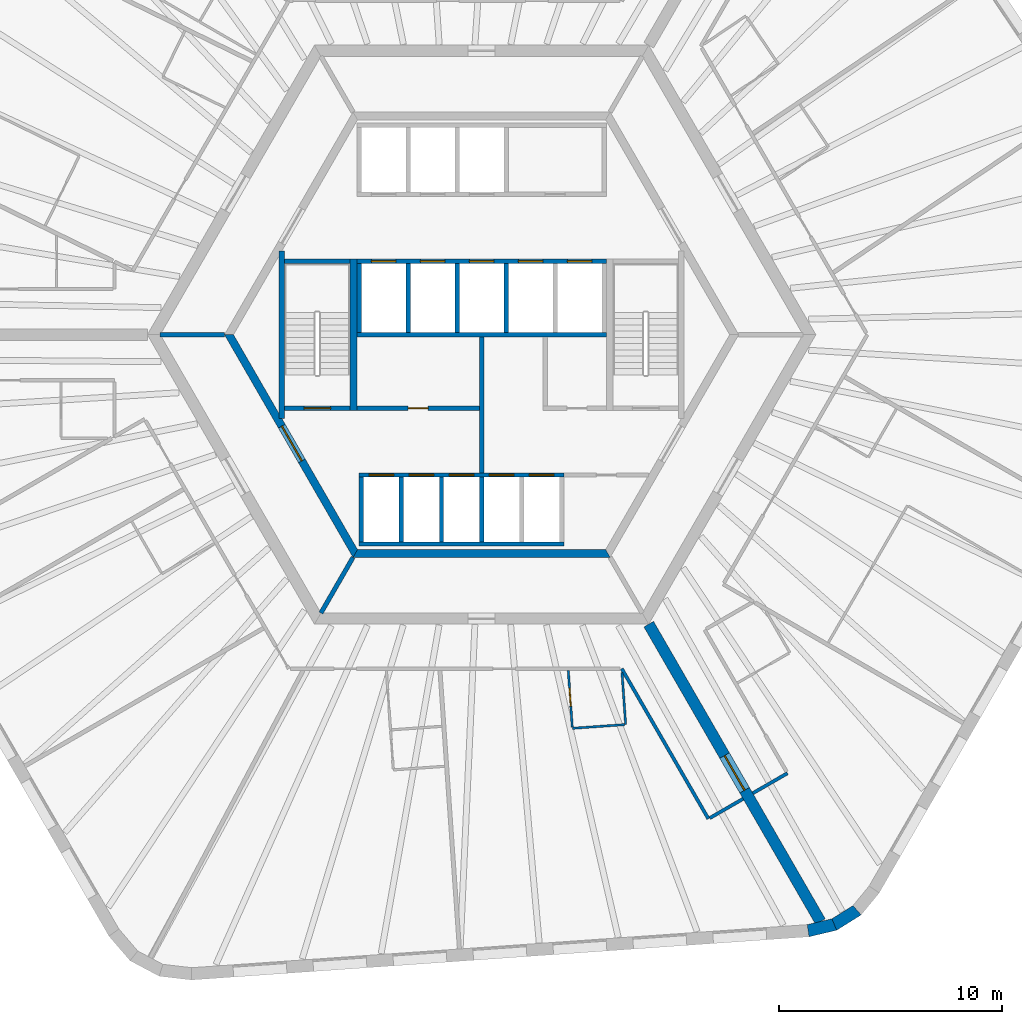
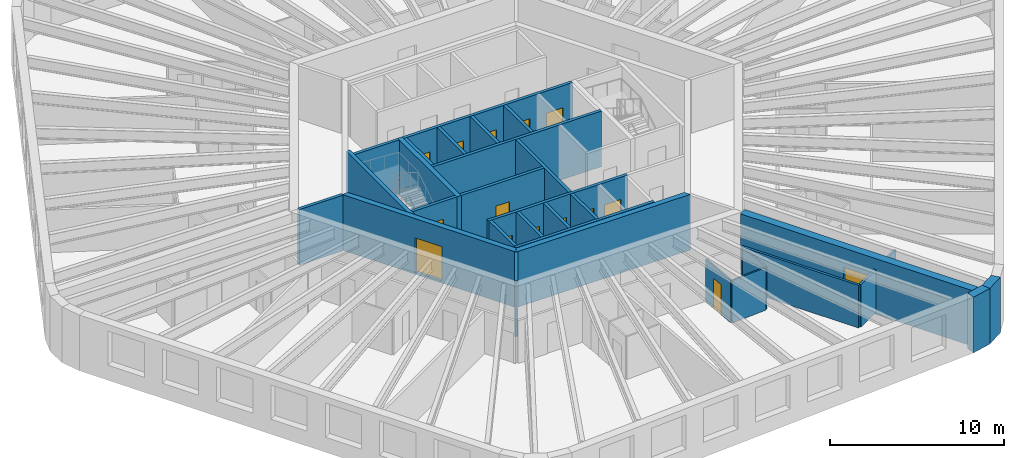
# One storey, part 4 of 10: 31 walls, 15 doors, 15 openings.
"""IFC4 building model written with IfcOpenShell, lengths in metres."""

from ifc_helpers import new_model, si_unit, direction, frame, frame_2d, origin, place, context, subcontext, project, spatial, polyline, rectangle, outline, extrude, material, layer, layer_set, type_object, element, fill, save


model = new_model("IFC4")

# Units and contexts
model_context = context("Model", 3, precision=1e-05, world=origin(), true_north=direction((0.0, 1.0)))
body_context = subcontext(model_context, "Body", "Model", "MODEL_VIEW")
ifc_project = project(units=[si_unit("LENGTHUNIT", "METRE"), si_unit("AREAUNIT", "SQUARE_METRE"), si_unit("VOLUMEUNIT", "CUBIC_METRE"), si_unit("PLANEANGLEUNIT", "RADIAN"), si_unit("MASSUNIT", "GRAM", prefix="KILO")], contexts=[model_context])

# Site, building, storey
site_placement = place(None, origin())
site = spatial("IfcSite", under=ifc_project, at=site_placement, CompositionType="ELEMENT")
building_placement = place(site_placement, origin())
building = spatial("IfcBuilding", under=site, at=building_placement, Name="Tarnside Tower", CompositionType="ELEMENT")
storey_placement = place(building_placement, frame((0.0, 0.0, 211.199951171875)))
storey = spatial("IfcBuildingStorey", under=building, at=storey_placement, Name="L50", CompositionType="ELEMENT", Elevation=211.199951171875)

# Walls
ifc_material_1 = material(Name="Gypsum board partition on steel studs", Category="steel")
ifc_layer_1 = layer(ifc_material_1, 0.10009765625)
ifc_layer_set_1 = layer_set([ifc_layer_1], Name="Bathroom wall 100")
wall_type_1 = type_object("IfcWallType", Name="Bathroom wall 100", PredefinedType="PARTITIONING", material=ifc_layer_set_1)
wall_1_placement = place(storey_placement, frame((6.30517578125, -15.170654296875, 0.0), z_axis=(0.0, 0.0, 1.0), x_axis=(0.06967780619, -0.997569548114, 0.0)))
element("IfcWall", 1, at=wall_1_placement, inside=storey, type_object=wall_type_1, Name="Bathroom wall 16092", PredefinedType="PARTITIONING", context=body_context, shape_type="SweptSolid", body=[
    extrude(rectangle(XDim=2.343994140625, YDim=0.10009765625, at=frame_2d((1.171875, 0.0))), origin(), (0.0, 0.0, 1.0), 2.98779296875),
])
wall_2_placement = place(storey_placement, frame((6.418701171875, -17.512451171875, 0.0), z_axis=(0.0, 0.0, 1.0), x_axis=(-0.997567210304, -0.069711268289, 0.0)))
element("IfcWall", 2, at=wall_2_placement, inside=storey, type_object=wall_type_1, Name="Bathroom wall 16093", PredefinedType="PARTITIONING", context=body_context, shape_type="SweptSolid", body=[
    extrude(rectangle(XDim=2.349853515625, YDim=0.10009765625, at=frame_2d((1.1748046875, 0.0))), origin(), (0.0, 0.0, 1.0), 2.98779296875),
])

# Wall, opening, door
wall_3_placement = place(storey_placement, frame((4.07080078125, -17.62646484375, 0.0), z_axis=(0.0, 0.0, 1.0), x_axis=(-0.06967999793, 0.997569395024, 0.0)))
wall_3 = element("IfcWall", 3, at=wall_3_placement, inside=storey, type_object=wall_type_1, Name="Bathroom wall 16094", PredefinedType="PARTITIONING", context=body_context, shape_type="SweptSolid", body=[
    extrude(rectangle(XDim=2.5576171875, YDim=0.10009765625, at=frame_2d((1.27880859375, 0.0))), origin(), (0.0, 0.0, 1.0), 2.98779296875),
])
opening_1_placement = place(wall_3_placement, frame((0.949951171875, 0.0, 0.0)))
opening_1 = element("IfcOpeningElement", 4, at=opening_1_placement, cuts=wall_3, Name="Opening D-B1", PredefinedType="OPENING", context=body_context, shape_type="SweptSolid", body=[
    extrude(rectangle(XDim=0.800048828125, YDim=2.10009765625, at=frame_2d((0.39990234375, 1.050048828125))), frame((0.0, 0.06005859375, 0.0), z_axis=(0.0, -1.0, 0.0), x_axis=(1.0, 0.0, 0.0)), (0.0, 0.0, 1.0), 0.1201171875),
])
ifc_material_2 = material(Name="Timber door leaf", Category="wood")
door_type_1 = type_object("IfcDoorType", Name="Bathroom door 800", OperationType="NOTDEFINED", PredefinedType="DOOR", material=ifc_material_2)
door_1_placement = place(opening_1_placement, origin())
door_1 = element("IfcDoor", 5, at=door_1_placement, inside=storey, type_object=door_type_1, Name="Bathroom door 16024", OperationType="SINGLE_SWING_LEFT", OverallHeight=2.10009765625, OverallWidth=0.800048828125, PredefinedType="DOOR", context=body_context, shape_type="SweptSolid", body=[
    extrude(rectangle(XDim=0.800048828125, YDim=2.10009765625, at=frame_2d((0.39990234375, 1.050048828125))), frame((0.0, 0.02490234375, 0.0), z_axis=(0.0, -1.0, 0.0), x_axis=(1.0, 0.0, 0.0)), (0.0, 0.0, 1.0), 0.050048828125),
])
fill(opening_1, door_1)

ifc_material_3 = material(Name="Concrete C50/60", Category="concrete")
ifc_layer_2 = layer(ifc_material_3, 0.35009765625)
ifc_layer_set_2 = layer_set([ifc_layer_2], Name="Core block wall 350 C50/60")
wall_type_2 = type_object("IfcWallType", Name="Core block wall 350 C50/60", PredefinedType="SHEAR", material=ifc_layer_set_2)
wall_4_placement = place(storey_placement, frame((-11.344970703125, 0.0, -0.14990234375), z_axis=(0.0, 0.0, 1.0), x_axis=(0.499995046907, -0.866028263435, 0.0)))
wall_4 = element("IfcWall", 6, at=wall_4_placement, inside=storey, type_object=wall_type_2, Name="L50 core block wall face 3", PredefinedType="SHEAR", context=body_context, shape_type="SweptSolid", body=[
    extrude(outline(polyline([(-0.10107421875, -0.175048828125), (11.44580078125, -0.175048828125), (11.24365234375, 0.175048828125), (0.10107421875, 0.175048828125), (-0.10107421875, -0.175048828125)])), origin(), (0.0, 0.0, 1.0), 3.89990234375),
])
opening_2_placement = place(wall_4_placement, frame((4.74365234375, 0.0, 0.14990234375)))
opening_2 = element("IfcOpeningElement", 7, at=opening_2_placement, cuts=wall_4, Name="Opening CD-FFL", PredefinedType="OPENING", context=body_context, shape_type="SweptSolid", body=[
    extrude(rectangle(XDim=1.800048828125, YDim=2.39990234375, at=frame_2d((0.89990234375, 1.199951171875))), frame((0.0, 0.18505859375, 0.0), z_axis=(0.0, -1.0, 0.0), x_axis=(1.0, 0.0, 0.0)), (0.0, 0.0, 1.0), 0.3701171875),
])
ifc_material_4 = material(Name="Steel fire door", Category="steel")
door_type_2 = type_object("IfcDoorType", Name="Firefighting lobby double door FD60S 1800x2400", OperationType="NOTDEFINED", PredefinedType="DOOR", material=ifc_material_4)
door_2_placement = place(opening_2_placement, origin())
door_2 = element("IfcDoor", 8, at=door_2_placement, inside=storey, type_object=door_type_2, Name="L50 lobby block door P3", OperationType="DOUBLE_DOOR_SINGLE_SWING", OverallHeight=2.39990234375, OverallWidth=1.800048828125, PredefinedType="DOOR", context=body_context, shape_type="SweptSolid", body=[
    extrude(rectangle(XDim=1.800048828125, YDim=2.39990234375, at=frame_2d((0.89990234375, 1.199951171875))), frame((0.0, 0.02490234375, 0.0), z_axis=(0.0, -1.0, 0.0), x_axis=(1.0, 0.0, 0.0)), (0.0, 0.0, 1.0), 0.050048828125),
])
fill(opening_2, door_2)

# Wall
wall_5_placement = place(storey_placement, frame((-5.672607421875, -9.824951171875, -0.14990234375), z_axis=(0.0, 0.0, 1.0), x_axis=(1.0, 0.0, 0.0)))
element("IfcWall", 9, at=wall_5_placement, inside=storey, type_object=wall_type_2, Name="L50 core block wall face 4", PredefinedType="SHEAR", context=body_context, shape_type="SweptSolid", body=[
    extrude(outline(polyline([(-0.10107421875, -0.175048828125), (11.4462890625, -0.175048828125), (11.244140625, 0.175048828125), (0.10107421875, 0.175048828125), (-0.10107421875, -0.175048828125)])), origin(), (0.0, 0.0, 1.0), 3.89990234375),
])

# Wall, opening, door
ifc_material_5 = material(Name="Concrete C40/50", Category="concrete")
ifc_layer_3 = layer(ifc_material_5, 0.199951171875)
ifc_layer_set_3 = layer_set([ifc_layer_3], Name="Core room partition 200 C40/50")
wall_type_3 = type_object("IfcWallType", Name="Core room partition 200 C40/50", PredefinedType="PARTITIONING", material=ifc_layer_set_3)
wall_6_placement = place(storey_placement, frame((-5.60009765625, -3.300048828125, 0.0), z_axis=(0.0, 0.0, 1.0), x_axis=(1.0, 0.0, 0.0)))
wall_6 = element("IfcWall", 10, at=wall_6_placement, inside=storey, type_object=wall_type_3, Name="L50 core partition W3", PredefinedType="PARTITIONING", context=body_context, shape_type="SweptSolid", body=[
    extrude(rectangle(XDim=5.5, YDim=0.199951171875, at=frame_2d((2.75, 0.0))), origin(), (0.0, 0.0, 1.0), 3.650146484375),
])
opening_3_placement = place(wall_6_placement, frame((2.300048828125, 0.0, 0.0)))
opening_3 = element("IfcOpeningElement", 11, at=opening_3_placement, cuts=wall_6, Name="Opening CD-room", PredefinedType="OPENING", context=body_context, shape_type="SweptSolid", body=[
    extrude(rectangle(XDim=0.89990234375, YDim=2.10009765625, at=frame_2d((0.449951171875, 1.050048828125))), frame((0.0, 0.10986328125, 0.0), z_axis=(0.0, -1.0, 0.0), x_axis=(1.0, 0.0, 0.0)), (0.0, 0.0, 1.0), 0.219970703125),
])
door_type_3 = type_object("IfcDoorType", Name="Room door FD60 900x2100", OperationType="NOTDEFINED", PredefinedType="DOOR", material=ifc_material_4)
door_3_placement = place(opening_3_placement, origin())
door_3 = element("IfcDoor", 12, at=door_3_placement, inside=storey, type_object=door_type_3, Name="L50 core room door W3D", OperationType="SINGLE_SWING_LEFT", OverallHeight=2.10009765625, OverallWidth=0.89990234375, PredefinedType="DOOR", context=body_context, shape_type="SweptSolid", body=[
    extrude(rectangle(XDim=0.89990234375, YDim=2.10009765625, at=frame_2d((0.449951171875, 1.050048828125))), frame((0.0, 0.02490234375, 0.0), z_axis=(0.0, -1.0, 0.0), x_axis=(1.0, 0.0, 0.0)), (0.0, 0.0, 1.0), 0.050048828125),
])
fill(opening_3, door_3)

# Wall
wall_7_placement = place(storey_placement, frame((0.0, -6.199951171875, 0.0), z_axis=(0.0, 0.0, 1.0), x_axis=(0.0, 1.0, 0.0)))
element("IfcWall", 13, at=wall_7_placement, inside=storey, type_object=wall_type_3, Name="L50 core partition X0", PredefinedType="PARTITIONING", context=body_context, shape_type="SweptSolid", body=[
    extrude(rectangle(XDim=6.099853515625, YDim=0.199951171875, at=frame_2d((3.0498046875, 0.0))), origin(), (0.0, 0.0, 1.0), 3.650146484375),
])

# Wall, opening, door
ifc_material_6 = material(Name="Concrete C70/85", Category="concrete")
ifc_layer_4 = layer(ifc_material_6, 0.5)
ifc_layer_set_4 = layer_set([ifc_layer_4], Name="Core wall Z2 500 C70/85")
wall_type_4 = type_object("IfcWallType", Name="Core wall Z2 500 C70/85", PredefinedType="SHEAR", material=ifc_layer_set_4)
wall_8_placement = place(storey_placement, frame((7.505615234375, -13.0, -0.14990234375), z_axis=(0.0, 0.0, 1.0), x_axis=(0.499988271576, -0.866032175087, 0.0)))
wall_8 = element("IfcWall", 14, at=wall_8_placement, inside=storey, type_object=wall_type_4, Name="L50 spine wall 3", PredefinedType="SHEAR", context=body_context, shape_type="SweptSolid", body=[
    extrude(rectangle(XDim=15.423583984375, YDim=0.5, at=frame_2d((7.7119140625, 0.0))), origin(), (0.0, 0.0, 1.0), 3.89990234375),
])
opening_4_placement = place(wall_8_placement, frame((6.811767578125, 0.0, 0.14990234375)))
opening_4 = element("IfcOpeningElement", 15, at=opening_4_placement, cuts=wall_8, Name="Opening CD-SPN", PredefinedType="OPENING", context=body_context, shape_type="SweptSolid", body=[
    extrude(rectangle(XDim=1.800048828125, YDim=2.39990234375, at=frame_2d((0.89990234375, 1.199951171875))), frame((0.0, 0.260009765625, 0.0), z_axis=(0.0, -1.0, 0.0), x_axis=(1.0, 0.0, 0.0)), (0.0, 0.0, 1.0), 0.52001953125),
])
door_type_4 = type_object("IfcDoorType", Name="Spine passage double door FD60 1800x2400", OperationType="NOTDEFINED", PredefinedType="DOOR", material=ifc_material_4)
door_4_placement = place(opening_4_placement, origin())
door_4 = element("IfcDoor", 16, at=door_4_placement, inside=storey, type_object=door_type_4, Name="L50 spine passage door 3", OperationType="DOUBLE_DOOR_SINGLE_SWING", OverallHeight=2.39990234375, OverallWidth=1.800048828125, PredefinedType="DOOR", context=body_context, shape_type="SweptSolid", body=[
    extrude(rectangle(XDim=1.800048828125, YDim=2.39990234375, at=frame_2d((0.89990234375, 1.199951171875))), frame((0.0, 0.02490234375, 0.0), z_axis=(0.0, -1.0, 0.0), x_axis=(1.0, 0.0, 0.0)), (0.0, 0.0, 1.0), 0.050048828125),
])
fill(opening_4, door_4)

# Walls
ifc_layer_5 = layer(ifc_material_1, 0.14990234375)
ifc_layer_set_5 = layer_set([ifc_layer_5], Name="Corridor wall 150 EI 60")
wall_type_5 = type_object("IfcWallType", Name="Corridor wall 150 EI 60", PredefinedType="PARTITIONING", material=ifc_layer_set_5)
wall_9_placement = place(storey_placement, frame((6.293212890625, -15.0, 0.0), z_axis=(0.0, 0.0, 1.0), x_axis=(0.499980313799, -0.86603676932, 0.0)))
element("IfcWall", 17, at=wall_9_placement, inside=storey, type_object=wall_type_5, Name="Corridor wall 16032", PredefinedType="PARTITIONING", context=body_context, shape_type="SweptSolid", body=[
    extrude(rectangle(XDim=7.785888671875, YDim=0.14990234375, at=frame_2d((3.89306640625, 0.0))), origin(), (0.0, 0.0, 1.0), 2.98779296875),
])
wall_10_placement = place(storey_placement, frame((10.2509765625, -21.705322265625, 0.0), z_axis=(0.0, 0.0, 1.0), x_axis=(0.866013532718, 0.500020560727, 0.0)))
element("IfcWall", 18, at=wall_10_placement, inside=storey, type_object=wall_type_5, Name="Corridor wall 16033", PredefinedType="PARTITIONING", context=body_context, shape_type="SweptSolid", body=[
    extrude(rectangle(XDim=1.72509765625, YDim=0.14990234375, at=frame_2d((0.862548828125, 0.0))), origin(), (0.0, 0.0, 1.0), 2.98779296875),
])
wall_11_placement = place(storey_placement, frame((12.177978515625, -20.5927734375, 0.0), z_axis=(0.0, 0.0, 1.0), x_axis=(0.866047807691, 0.499961193289, 0.0)))
element("IfcWall", 19, at=wall_11_placement, inside=storey, type_object=wall_type_5, Name="Corridor wall 16035", PredefinedType="PARTITIONING", context=body_context, shape_type="SweptSolid", body=[
    extrude(rectangle(XDim=1.800048828125, YDim=0.14990234375, at=frame_2d((0.89990234375, 0.0))), origin(), (0.0, 0.0, 1.0), 2.98779296875),
])

# Wall, openings, doors
ifc_layer_6 = layer(ifc_material_5, 0.199951171875)
ifc_layer_set_6 = layer_set([ifc_layer_6], Name="Lift shaft wall 200 C40/50")
wall_type_6 = type_object("IfcWallType", Name="Lift shaft wall 200 C40/50", PredefinedType="SHEAR", material=ifc_layer_set_6)
wall_12_placement = place(storey_placement, frame((-5.60009765625, 3.300048828125, -0.25), z_axis=(0.0, 0.0, 1.0), x_axis=(1.0, 0.0, 0.0)))
wall_12 = element("IfcWall", 20, at=wall_12_placement, inside=storey, type_object=wall_type_6, Name="L50 lift shaft front wall R2", PredefinedType="SHEAR", context=body_context, shape_type="SweptSolid", body=[
    extrude(rectangle(XDim=11.2001953125, YDim=0.199951171875, at=frame_2d((5.60009765625, 0.0))), origin(), (0.0, 0.0, 1.0), 3.900146484375),
])
opening_5_placement = place(wall_12_placement, frame((0.64990234375, 0.0, 0.25)))
opening_5 = element("IfcOpeningElement", 21, at=opening_5_placement, cuts=wall_12, Name="Opening LD", PredefinedType="OPENING", context=body_context, shape_type="SweptSolid", body=[
    extrude(rectangle(XDim=1.10009765625, YDim=2.10009765625, at=frame_2d((0.550048828125, 1.050048828125))), frame((0.0, 0.10986328125, 0.0), z_axis=(0.0, -1.0, 0.0), x_axis=(1.0, 0.0, 0.0)), (0.0, 0.0, 1.0), 0.219970703125),
])
opening_6_placement = place(wall_12_placement, frame((2.85009765625, 0.0, 0.25)))
opening_6 = element("IfcOpeningElement", 22, at=opening_6_placement, cuts=wall_12, Name="Opening LD", PredefinedType="OPENING", context=body_context, shape_type="SweptSolid", body=[
    extrude(rectangle(XDim=1.10009765625, YDim=2.10009765625, at=frame_2d((0.550048828125, 1.050048828125))), frame((0.0, 0.10986328125, 0.0), z_axis=(0.0, -1.0, 0.0), x_axis=(1.0, 0.0, 0.0)), (0.0, 0.0, 1.0), 0.219970703125),
])
opening_7_placement = place(wall_12_placement, frame((5.050048828125, 0.0, 0.25)))
opening_7 = element("IfcOpeningElement", 23, at=opening_7_placement, cuts=wall_12, Name="Opening LD", PredefinedType="OPENING", context=body_context, shape_type="SweptSolid", body=[
    extrude(rectangle(XDim=1.10009765625, YDim=2.10009765625, at=frame_2d((0.550048828125, 1.050048828125))), frame((0.0, 0.10986328125, 0.0), z_axis=(0.0, -1.0, 0.0), x_axis=(1.0, 0.0, 0.0)), (0.0, 0.0, 1.0), 0.219970703125),
])
opening_8_placement = place(wall_12_placement, frame((7.25, 0.0, 0.25)))
opening_8 = element("IfcOpeningElement", 24, at=opening_8_placement, cuts=wall_12, Name="Opening LD", PredefinedType="OPENING", context=body_context, shape_type="SweptSolid", body=[
    extrude(rectangle(XDim=1.10009765625, YDim=2.10009765625, at=frame_2d((0.550048828125, 1.050048828125))), frame((0.0, 0.10986328125, 0.0), z_axis=(0.0, -1.0, 0.0), x_axis=(1.0, 0.0, 0.0)), (0.0, 0.0, 1.0), 0.219970703125),
])
opening_9_placement = place(wall_12_placement, frame((9.449951171875, 0.0, 0.25)))
opening_9 = element("IfcOpeningElement", 25, at=opening_9_placement, cuts=wall_12, Name="Opening LD", PredefinedType="OPENING", context=body_context, shape_type="SweptSolid", body=[
    extrude(rectangle(XDim=1.10009765625, YDim=2.10009765625, at=frame_2d((0.550048828125, 1.050048828125))), frame((0.0, 0.10986328125, 0.0), z_axis=(0.0, -1.0, 0.0), x_axis=(1.0, 0.0, 0.0)), (0.0, 0.0, 1.0), 0.219970703125),
])
ifc_material_7 = material(Name="Stainless steel", Category="steel")
door_type_5 = type_object("IfcDoorType", Name="Lift landing door 1100x2100", OperationType="NOTDEFINED", PredefinedType="DOOR", material=ifc_material_7)
door_5_placement = place(opening_5_placement, origin())
door_5 = element("IfcDoor", 26, at=door_5_placement, inside=storey, type_object=door_type_5, Name="Mid-rise lift 4 landing door L50", OperationType="SLIDING_TO_LEFT", OverallHeight=2.10009765625, OverallWidth=1.10009765625, PredefinedType="DOOR", context=body_context, shape_type="SweptSolid", body=[
    extrude(rectangle(XDim=1.10009765625, YDim=2.10009765625, at=frame_2d((0.550048828125, 1.050048828125))), frame((0.0, 0.02490234375, 0.0), z_axis=(0.0, -1.0, 0.0), x_axis=(1.0, 0.0, 0.0)), (0.0, 0.0, 1.0), 0.050048828125),
])
fill(opening_5, door_5)
door_6_placement = place(opening_6_placement, origin())
door_6 = element("IfcDoor", 27, at=door_6_placement, inside=storey, type_object=door_type_5, Name="Mid-rise lift 5 landing door L50", OperationType="SLIDING_TO_LEFT", OverallHeight=2.10009765625, OverallWidth=1.10009765625, PredefinedType="DOOR", context=body_context, shape_type="SweptSolid", body=[
    extrude(rectangle(XDim=1.10009765625, YDim=2.10009765625, at=frame_2d((0.550048828125, 1.050048828125))), frame((0.0, 0.02490234375, 0.0), z_axis=(0.0, -1.0, 0.0), x_axis=(1.0, 0.0, 0.0)), (0.0, 0.0, 1.0), 0.050048828125),
])
fill(opening_6, door_6)
door_7_placement = place(opening_7_placement, origin())
door_7 = element("IfcDoor", 28, at=door_7_placement, inside=storey, type_object=door_type_5, Name="Mid-rise lift 6 landing door L50", OperationType="SLIDING_TO_LEFT", OverallHeight=2.10009765625, OverallWidth=1.10009765625, PredefinedType="DOOR", context=body_context, shape_type="SweptSolid", body=[
    extrude(rectangle(XDim=1.10009765625, YDim=2.10009765625, at=frame_2d((0.550048828125, 1.050048828125))), frame((0.0, 0.02490234375, 0.0), z_axis=(0.0, -1.0, 0.0), x_axis=(1.0, 0.0, 0.0)), (0.0, 0.0, 1.0), 0.050048828125),
])
fill(opening_7, door_7)
door_8_placement = place(opening_8_placement, origin())
door_8 = element("IfcDoor", 29, at=door_8_placement, inside=storey, type_object=door_type_5, Name="High sky-lobby shuttle 1 landing door L50", OperationType="SLIDING_TO_LEFT", OverallHeight=2.10009765625, OverallWidth=1.10009765625, PredefinedType="DOOR", context=body_context, shape_type="SweptSolid", body=[
    extrude(rectangle(XDim=1.10009765625, YDim=2.10009765625, at=frame_2d((0.550048828125, 1.050048828125))), frame((0.0, 0.02490234375, 0.0), z_axis=(0.0, -1.0, 0.0), x_axis=(1.0, 0.0, 0.0)), (0.0, 0.0, 1.0), 0.050048828125),
])
fill(opening_8, door_8)
door_9_placement = place(opening_9_placement, origin())
door_9 = element("IfcDoor", 30, at=door_9_placement, inside=storey, type_object=door_type_5, Name="Express sky-lobby shuttle 2 landing door L50", OperationType="SLIDING_TO_LEFT", OverallHeight=2.10009765625, OverallWidth=1.10009765625, PredefinedType="DOOR", context=body_context, shape_type="SweptSolid", body=[
    extrude(rectangle(XDim=1.10009765625, YDim=2.10009765625, at=frame_2d((0.550048828125, 1.050048828125))), frame((0.0, 0.02490234375, 0.0), z_axis=(0.0, -1.0, 0.0), x_axis=(1.0, 0.0, 0.0)), (0.0, 0.0, 1.0), 0.050048828125),
])
fill(opening_9, door_9)

# Walls
wall_13_placement = place(storey_placement, frame((-5.60009765625, 0.0, -0.25), z_axis=(0.0, 0.0, 1.0), x_axis=(1.0, 0.0, 0.0)))
element("IfcWall", 31, at=wall_13_placement, inside=storey, type_object=wall_type_6, Name="L50 lift shaft back wall R2", PredefinedType="SHEAR", context=body_context, shape_type="SweptSolid", body=[
    extrude(rectangle(XDim=11.2001953125, YDim=0.199951171875, at=frame_2d((5.60009765625, 0.0))), origin(), (0.0, 0.0, 1.0), 3.900146484375),
])
for number, where, z_axis, x_axis, name in (
    (32, (-5.5, 0.10009765625, -0.25), (0.0, 0.0, 1.0), (0.0, 1.0, 0.0), "L50 lift shaft partition R21"),
    (33, (-3.300048828125, 0.10009765625, -0.25), (0.0, 0.0, 1.0), (0.0, 1.0, 0.0), "L50 lift shaft partition R22"),
    (34, (-1.10009765625, 0.10009765625, -0.25), (0.0, 0.0, 1.0), (0.0, 1.0, 0.0), "L50 lift shaft partition R23"),
    (35, (1.10009765625, 0.10009765625, -0.25), (0.0, 0.0, 1.0), (0.0, 1.0, 0.0), "L50 lift shaft partition R24"),
):
    element("IfcWall", number, at=place(storey_placement, frame(where, z_axis=z_axis, x_axis=x_axis)), inside=storey, type_object=wall_type_6, Name=name, PredefinedType="SHEAR", context=body_context, shape_type="SweptSolid", body=[
        extrude(rectangle(XDim=3.099853515625, YDim=0.199951171875, at=frame_2d((1.5498046875, 0.0))), origin(), (0.0, 0.0, 1.0), 3.900146484375),
    ])

# Wall, openings, doors
wall_14_placement = place(storey_placement, frame((-5.5, -6.300048828125, -0.25), z_axis=(0.0, 0.0, 1.0), x_axis=(1.0, 0.0, 0.0)))
wall_14 = element("IfcWall", 36, at=wall_14_placement, inside=storey, type_object=wall_type_6, Name="L50 lift shaft front wall R4", PredefinedType="SHEAR", context=body_context, shape_type="SweptSolid", body=[
    extrude(rectangle(XDim=9.199951171875, YDim=0.199951171875, at=frame_2d((4.60009765625, 0.0))), origin(), (0.0, 0.0, 1.0), 3.900146484375),
])
opening_10_placement = place(wall_14_placement, frame((0.449951171875, 0.0, 0.25)))
opening_10 = element("IfcOpeningElement", 37, at=opening_10_placement, cuts=wall_14, Name="Opening LDF", PredefinedType="OPENING", context=body_context, shape_type="SweptSolid", body=[
    extrude(rectangle(XDim=1.10009765625, YDim=2.10009765625, at=frame_2d((0.550048828125, 1.050048828125))), frame((0.0, 0.10986328125, 0.0), z_axis=(0.0, -1.0, 0.0), x_axis=(1.0, 0.0, 0.0)), (0.0, 0.0, 1.0), 0.219970703125),
])
opening_11_placement = place(wall_14_placement, frame((2.25, 0.0, 0.25)))
opening_11 = element("IfcOpeningElement", 38, at=opening_11_placement, cuts=wall_14, Name="Opening LDF", PredefinedType="OPENING", context=body_context, shape_type="SweptSolid", body=[
    extrude(rectangle(XDim=1.10009765625, YDim=2.10009765625, at=frame_2d((0.550048828125, 1.050048828125))), frame((0.0, 0.10986328125, 0.0), z_axis=(0.0, -1.0, 0.0), x_axis=(1.0, 0.0, 0.0)), (0.0, 0.0, 1.0), 0.219970703125),
])
opening_12_placement = place(wall_14_placement, frame((4.050048828125, 0.0, 0.25)))
opening_12 = element("IfcOpeningElement", 39, at=opening_12_placement, cuts=wall_14, Name="Opening LDF", PredefinedType="OPENING", context=body_context, shape_type="SweptSolid", body=[
    extrude(rectangle(XDim=1.10009765625, YDim=2.10009765625, at=frame_2d((0.550048828125, 1.050048828125))), frame((0.0, 0.10986328125, 0.0), z_axis=(0.0, -1.0, 0.0), x_axis=(1.0, 0.0, 0.0)), (0.0, 0.0, 1.0), 0.219970703125),
])
opening_13_placement = place(wall_14_placement, frame((5.85009765625, 0.0, 0.25)))
opening_13 = element("IfcOpeningElement", 40, at=opening_13_placement, cuts=wall_14, Name="Opening LDF", PredefinedType="OPENING", context=body_context, shape_type="SweptSolid", body=[
    extrude(rectangle(XDim=1.10009765625, YDim=2.10009765625, at=frame_2d((0.550048828125, 1.050048828125))), frame((0.0, 0.10986328125, 0.0), z_axis=(0.0, -1.0, 0.0), x_axis=(1.0, 0.0, 0.0)), (0.0, 0.0, 1.0), 0.219970703125),
])
opening_14_placement = place(wall_14_placement, frame((7.64990234375, 0.0, 0.25)))
opening_14 = element("IfcOpeningElement", 41, at=opening_14_placement, cuts=wall_14, Name="Opening LDF", PredefinedType="OPENING", context=body_context, shape_type="SweptSolid", body=[
    extrude(rectangle(XDim=1.10009765625, YDim=2.10009765625, at=frame_2d((0.550048828125, 1.050048828125))), frame((0.0, 0.10986328125, 0.0), z_axis=(0.0, -1.0, 0.0), x_axis=(1.0, 0.0, 0.0)), (0.0, 0.0, 1.0), 0.219970703125),
])
door_type_6 = type_object("IfcDoorType", Name="Lift landing door 1100x2100 EI 120", OperationType="NOTDEFINED", PredefinedType="DOOR", material=ifc_material_7)
door_10_placement = place(opening_10_placement, origin())
door_10 = element("IfcDoor", 42, at=door_10_placement, inside=storey, type_object=door_type_6, Name="Firefighting lift 1 landing door L50", OperationType="SLIDING_TO_LEFT", OverallHeight=2.10009765625, OverallWidth=1.10009765625, PredefinedType="DOOR", context=body_context, shape_type="SweptSolid", body=[
    extrude(rectangle(XDim=1.10009765625, YDim=2.10009765625, at=frame_2d((0.550048828125, 1.050048828125))), frame((0.0, 0.02490234375, 0.0), z_axis=(0.0, -1.0, 0.0), x_axis=(1.0, 0.0, 0.0)), (0.0, 0.0, 1.0), 0.050048828125),
])
fill(opening_10, door_10)
door_11_placement = place(opening_11_placement, origin())
door_11 = element("IfcDoor", 43, at=door_11_placement, inside=storey, type_object=door_type_6, Name="Firefighting lift 2 landing door L50", OperationType="SLIDING_TO_LEFT", OverallHeight=2.10009765625, OverallWidth=1.10009765625, PredefinedType="DOOR", context=body_context, shape_type="SweptSolid", body=[
    extrude(rectangle(XDim=1.10009765625, YDim=2.10009765625, at=frame_2d((0.550048828125, 1.050048828125))), frame((0.0, 0.02490234375, 0.0), z_axis=(0.0, -1.0, 0.0), x_axis=(1.0, 0.0, 0.0)), (0.0, 0.0, 1.0), 0.050048828125),
])
fill(opening_11, door_11)
door_12_placement = place(opening_12_placement, origin())
door_12 = element("IfcDoor", 44, at=door_12_placement, inside=storey, type_object=door_type_6, Name="Firefighting lift 3 landing door L50", OperationType="SLIDING_TO_LEFT", OverallHeight=2.10009765625, OverallWidth=1.10009765625, PredefinedType="DOOR", context=body_context, shape_type="SweptSolid", body=[
    extrude(rectangle(XDim=1.10009765625, YDim=2.10009765625, at=frame_2d((0.550048828125, 1.050048828125))), frame((0.0, 0.02490234375, 0.0), z_axis=(0.0, -1.0, 0.0), x_axis=(1.0, 0.0, 0.0)), (0.0, 0.0, 1.0), 0.050048828125),
])
fill(opening_12, door_12)
door_13_placement = place(opening_13_placement, origin())
door_13 = element("IfcDoor", 45, at=door_13_placement, inside=storey, type_object=door_type_6, Name="Firefighting lift 4 landing door L50", OperationType="SLIDING_TO_LEFT", OverallHeight=2.10009765625, OverallWidth=1.10009765625, PredefinedType="DOOR", context=body_context, shape_type="SweptSolid", body=[
    extrude(rectangle(XDim=1.10009765625, YDim=2.10009765625, at=frame_2d((0.550048828125, 1.050048828125))), frame((0.0, 0.02490234375, 0.0), z_axis=(0.0, -1.0, 0.0), x_axis=(1.0, 0.0, 0.0)), (0.0, 0.0, 1.0), 0.050048828125),
])
fill(opening_13, door_13)
door_14_placement = place(opening_14_placement, origin())
door_14 = element("IfcDoor", 46, at=door_14_placement, inside=storey, type_object=door_type_6, Name="Firefighting lift 5 landing door L50", OperationType="SLIDING_TO_LEFT", OverallHeight=2.10009765625, OverallWidth=1.10009765625, PredefinedType="DOOR", context=body_context, shape_type="SweptSolid", body=[
    extrude(rectangle(XDim=1.10009765625, YDim=2.10009765625, at=frame_2d((0.550048828125, 1.050048828125))), frame((0.0, 0.02490234375, 0.0), z_axis=(0.0, -1.0, 0.0), x_axis=(1.0, 0.0, 0.0)), (0.0, 0.0, 1.0), 0.050048828125),
])
fill(opening_14, door_14)

# Walls
wall_15_placement = place(storey_placement, frame((-5.5, -9.39990234375, -0.25), z_axis=(0.0, 0.0, 1.0), x_axis=(1.0, 0.0, 0.0)))
element("IfcWall", 47, at=wall_15_placement, inside=storey, type_object=wall_type_6, Name="L50 lift shaft back wall R4", PredefinedType="SHEAR", context=body_context, shape_type="SweptSolid", body=[
    extrude(rectangle(XDim=9.199951171875, YDim=0.199951171875, at=frame_2d((4.60009765625, 0.0))), origin(), (0.0, 0.0, 1.0), 3.900146484375),
])
for number, where, z_axis, x_axis, name in (
    (48, (-5.39990234375, -9.300048828125, -0.25), (0.0, 0.0, 1.0), (0.0, 1.0, 0.0), "L50 lift shaft partition R41"),
    (49, (-3.60009765625, -9.300048828125, -0.25), (0.0, 0.0, 1.0), (0.0, 1.0, 0.0), "L50 lift shaft partition R42"),
    (50, (-1.800048828125, -9.300048828125, -0.25), (0.0, 0.0, 1.0), (0.0, 1.0, 0.0), "L50 lift shaft partition R43"),
    (51, (0.0, -9.300048828125, -0.25), (0.0, 0.0, 1.0), (0.0, 1.0, 0.0), "L50 lift shaft partition R44"),
):
    element("IfcWall", number, at=place(storey_placement, frame(where, z_axis=z_axis, x_axis=x_axis)), inside=storey, type_object=wall_type_6, Name=name, PredefinedType="SHEAR", context=body_context, shape_type="SweptSolid", body=[
        extrude(rectangle(XDim=2.900146484375, YDim=0.199951171875, at=frame_2d((1.4501953125, 0.0))), origin(), (0.0, 0.0, 1.0), 3.900146484375),
    ])
for number, where, z_axis, x_axis, name in (
    (52, (-11.547119140625, 0.0, -0.14990234375), (0.0, 0.0, 1.0), (-1.0, 0.0, 0.0), "L50 core partition AR180"),
    (53, (-5.7734375, -10.0, -0.14990234375), (0.0, 0.0, 1.0), (-0.499995765644, -0.866027848477, 0.0), "L50 core partition AR240"),
):
    element("IfcWall", number, at=place(storey_placement, frame(where, z_axis=z_axis, x_axis=x_axis)), inside=storey, type_object=wall_type_6, Name=name, PredefinedType="SHEAR", context=body_context, shape_type="SweptSolid", body=[
        extrude(rectangle(XDim=2.88671875, YDim=0.199951171875, at=frame_2d((1.443359375, 0.0))), origin(), (0.0, 0.0, 1.0), 3.89990234375),
    ])
wall_16_placement = place(storey_placement, frame((-8.85009765625, 3.300048828125, -0.25), z_axis=(0.0, 0.0, 1.0), x_axis=(1.0, 0.0, 0.0)))
element("IfcWall", 54, at=wall_16_placement, inside=storey, type_object=wall_type_6, Name="L50 stair 2 enclosure cap wall n", PredefinedType="SHEAR", context=body_context, shape_type="SweptSolid", body=[
    extrude(rectangle(XDim=2.9501953125, YDim=0.199951171875, at=frame_2d((1.47509765625, 0.0))), origin(), (0.0, 0.0, 1.0), 3.900146484375),
])

# Wall, opening, door
wall_17_placement = place(storey_placement, frame((-8.85009765625, -3.300048828125, -0.25), z_axis=(0.0, 0.0, 1.0), x_axis=(1.0, 0.0, 0.0)))
wall_17 = element("IfcWall", 55, at=wall_17_placement, inside=storey, type_object=wall_type_6, Name="L50 stair 2 enclosure cap wall s", PredefinedType="SHEAR", context=body_context, shape_type="SweptSolid", body=[
    extrude(rectangle(XDim=2.9501953125, YDim=0.199951171875, at=frame_2d((1.47509765625, 0.0))), origin(), (0.0, 0.0, 1.0), 3.900146484375),
])
opening_15_placement = place(wall_17_placement, frame((0.875, 0.0, 0.25)))
opening_15 = element("IfcOpeningElement", 56, at=opening_15_placement, cuts=wall_17, Name="Opening CD-STR", PredefinedType="OPENING", context=body_context, shape_type="SweptSolid", body=[
    extrude(rectangle(XDim=1.199951171875, YDim=2.39990234375, at=frame_2d((0.60009765625, 1.199951171875))), frame((0.0, 0.10986328125, 0.0), z_axis=(0.0, -1.0, 0.0), x_axis=(1.0, 0.0, 0.0)), (0.0, 0.0, 1.0), 0.219970703125),
])
door_type_7 = type_object("IfcDoorType", Name="Stair door FD60S 1200x2400", OperationType="NOTDEFINED", PredefinedType="DOOR", material=ifc_material_4)
door_15_placement = place(opening_15_placement, origin())
door_15 = element("IfcDoor", 57, at=door_15_placement, inside=storey, type_object=door_type_7, Name="L50 stair 2 door", OperationType="SINGLE_SWING_LEFT", OverallHeight=2.39990234375, OverallWidth=1.199951171875, PredefinedType="DOOR", context=body_context, shape_type="SweptSolid", body=[
    extrude(rectangle(XDim=1.199951171875, YDim=2.39990234375, at=frame_2d((0.60009765625, 1.199951171875))), frame((0.0, 0.02490234375, 0.0), z_axis=(0.0, -1.0, 0.0), x_axis=(1.0, 0.0, 0.0)), (0.0, 0.0, 1.0), 0.050048828125),
])
fill(opening_15, door_15)

# Walls
ifc_layer_7 = layer(ifc_material_5, 0.25)
ifc_layer_set_7 = layer_set([ifc_layer_7], Name="Stair enclosure wall 250 C40/50")
wall_type_7 = type_object("IfcWallType", Name="Stair enclosure wall 250 C40/50", PredefinedType="SHEAR", material=ifc_layer_set_7)
wall_18_placement = place(storey_placement, frame((-8.97509765625, -3.7548828125, -0.25), z_axis=(0.0, 0.0, 1.0), x_axis=(0.0, 1.0, 0.0)))
element("IfcWall", 58, at=wall_18_placement, inside=storey, type_object=wall_type_7, Name="L50 stair 2 enclosure wall outer", PredefinedType="SHEAR", context=body_context, shape_type="SweptSolid", body=[
    extrude(rectangle(XDim=7.509765625, YDim=0.25, at=frame_2d((3.7548828125, 0.0))), origin(), (0.0, 0.0, 1.0), 3.900146484375),
])
ifc_layer_8 = layer(ifc_material_5, 0.300048828125)
ifc_layer_set_8 = layer_set([ifc_layer_8], Name="Stair enclosure wall 300 C40/50")
wall_type_8 = type_object("IfcWallType", Name="Stair enclosure wall 300 C40/50", PredefinedType="SHEAR", material=ifc_layer_set_8)
wall_19_placement = place(storey_placement, frame((-5.75, -3.39990234375, -0.25), z_axis=(0.0, 0.0, 1.0), x_axis=(0.0, 1.0, 0.0)))
element("IfcWall", 59, at=wall_19_placement, inside=storey, type_object=wall_type_8, Name="L50 stair 2 enclosure wall inner", PredefinedType="SHEAR", context=body_context, shape_type="SweptSolid", body=[
    extrude(rectangle(XDim=6.7998046875, YDim=0.300048828125, at=frame_2d((3.39990234375, 0.0))), origin(), (0.0, 0.0, 1.0), 3.900146484375),
])
ifc_material_8 = material(Name="Facing brick", Category="masonry")
ifc_layer_9 = layer(ifc_material_8, 0.10205078125)
ifc_material_9 = material(Name="Concrete C60/75 precast", Category="concrete")
ifc_layer_10 = layer(ifc_material_9, 0.347900390625)
ifc_material_10 = material(Name="Mineral wool insulation")
ifc_layer_11 = layer(ifc_material_10, 0.10009765625)
ifc_layer_set_9 = layer_set([ifc_layer_9, ifc_layer_10, ifc_layer_11], Name="Tube wall 550 brick faced")
wall_type_9 = type_object("IfcWallType", Name="Tube wall 550 brick faced", PredefinedType="SOLIDWALL", material=ifc_layer_set_9)
wall_20_placement = place(storey_placement, frame((14.663818359375, -26.767333984375, -0.14990234375), z_axis=(0.0, 0.0, 1.0), x_axis=(0.973063591128, 0.230536868247, 0.0)))
element("IfcWall", 60, at=wall_20_placement, inside=storey, type_object=wall_type_9, Name="Tube wall L50 F4 chord 13", PredefinedType="SOLIDWALL", context=body_context, shape_type="SweptSolid", body=[
    extrude(outline(polyline([(-0.0224609375, -0.27490234375), (1.25341796875, -0.27490234375), (1.1630859375, 0.27490234375), (0.0224609375, 0.27490234375), (-0.0224609375, -0.27490234375)])), origin(), (0.0, 0.0, 1.0), 3.89990234375),
])
wall_21_placement = place(storey_placement, frame((15.839599609375, -26.48876953125, -0.14990234375), z_axis=(0.0, 0.0, 1.0), x_axis=(0.848009655012, 0.52998077796, 0.0)))
element("IfcWall", 61, at=wall_21_placement, inside=storey, type_object=wall_type_9, Name="Tube wall L50 F4 chord 14", PredefinedType="SOLIDWALL", context=body_context, shape_type="SweptSolid", body=[
    extrude(outline(polyline([(-0.045166015625, -0.27490234375), (1.25341796875, -0.27490234375), (1.1630859375, 0.27490234375), (0.045166015625, 0.27490234375), (-0.045166015625, -0.27490234375)])), origin(), (0.0, 0.0, 1.0), 3.89990234375),
])

save(model, "model.ifc")
